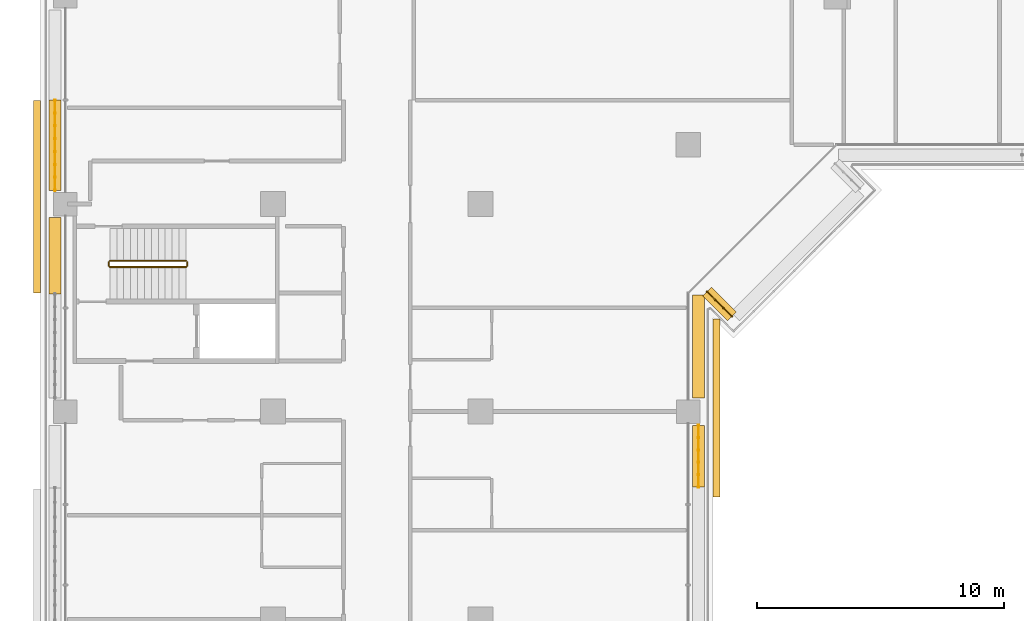
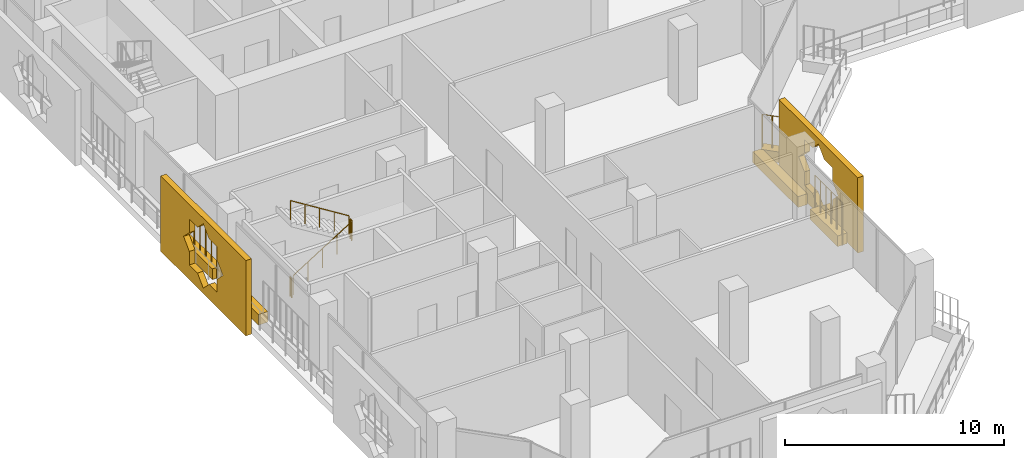
# One storey, part 18 of 24: 7 coverings, 7 railings.
"""IFC4 building model written with IfcOpenShell, lengths in metres."""

from ifc_helpers import new_model, si_unit, direction, frame, origin, origin_2d, place, context, subcontext, project, spatial, polyline, rectangle, circle, outline, extrude, material, material_profile, profile_set, type_object, element, save


model = new_model("IFC4")

# Units and contexts
model_context = context("Model", 3, precision=1e-05, world=origin(), true_north=direction((0.0, 1.0)))
body_context = subcontext(model_context, "Body", "Model", "MODEL_VIEW")
ifc_project = project(units=[si_unit("LENGTHUNIT", "METRE"), si_unit("AREAUNIT", "SQUARE_METRE"), si_unit("VOLUMEUNIT", "CUBIC_METRE"), si_unit("PLANEANGLEUNIT", "RADIAN"), si_unit("MASSUNIT", "GRAM", prefix="KILO")], contexts=[model_context])

# Site, building, storey
site_placement = place(None, origin())
site = spatial("IfcSite", under=ifc_project, at=site_placement, CompositionType="ELEMENT")
building_placement = place(site_placement, origin())
building = spatial("IfcBuilding", under=site, at=building_placement, Name="Kawkab Arch Medical Tower", CompositionType="ELEMENT")
storey_placement = place(building_placement, frame((0.0, 0.0, 162.60009765625)))
storey = spatial("IfcBuildingStorey", under=building, at=storey_placement, Name="L37", CompositionType="ELEMENT", Elevation=162.60009765625)

# Coverings
ifc_material_1 = material(Name="Bronze anodised aluminium mashrabiya panel, eight-point star pattern", Category="aluminium")
ifc_material_profile_1 = material_profile(ifc_material_1, outline(polyline([(-3.60009765625, -2.10009765625), (3.60009765625, -2.10009765625), (3.60009765625, 2.10009765625), (-3.60009765625, 2.10009765625), (-3.60009765625, -2.10009765625)]), holes=[polyline([(1.800048828125, 0.0), (1.272705078125, 0.527099609375), (1.272705078125, 1.272705078125), (0.527099609375, 1.272705078125), (0.0, 1.800048828125), (-0.527099609375, 1.272705078125), (-1.272705078125, 1.272705078125), (-1.272705078125, 0.527099609375), (-1.800048828125, 0.0), (-1.272705078125, -0.527099609375), (-1.272705078125, -1.272705078125), (-0.527099609375, -1.272705078125), (0.0, -1.800048828125), (0.527099609375, -1.272705078125), (1.272705078125, -1.272705078125), (1.272705078125, -0.527099609375), (1.800048828125, 0.0)])]), Name="Mashrabiya panel 7200x4200")
ifc_profile_set_1 = profile_set([ifc_material_profile_1], Name="Bronze anodised aluminium mashrabiya panel, eight-point star pattern")
covering_type_1 = type_object("IfcCoveringType", Name="Mashrabiya panel 7200 x 4200", PredefinedType="USERDEFINED", material=ifc_profile_set_1)
covering_1_placement = place(storey_placement, frame((26.199951171875, -41.857421875, 1.699951171875), z_axis=(1.0, 0.0, 0.0), x_axis=(0.0, 1.0, 0.0)))
element("IfcCovering", 1, at=covering_1_placement, inside=storey, type_object=covering_type_1, Name="Mashrabiya panel L37.LOG-01-02.12", ObjectType="SCREEN", PredefinedType="USERDEFINED", context=body_context, shape_type="SweptSolid", body=[
    extrude(outline(polyline([(-3.60009765625, -2.10009765625), (3.60009765625, -2.10009765625), (3.60009765625, 2.10009765625), (-3.60009765625, 2.10009765625), (-3.60009765625, -2.10009765625)]), holes=[polyline([(1.800048828125, 0.0), (1.272705078125, 0.527099609375), (1.272705078125, 1.272705078125), (0.527099609375, 1.272705078125), (0.0, 1.800048828125), (-0.527099609375, 1.272705078125), (-1.272705078125, 1.272705078125), (-1.272705078125, 0.527099609375), (-1.800048828125, 0.0), (-1.272705078125, -0.527099609375), (-1.272705078125, -1.272705078125), (-0.527099609375, -1.272705078125), (0.0, -1.800048828125), (0.527099609375, -1.272705078125), (1.272705078125, -1.272705078125), (1.272705078125, -0.527099609375), (1.800048828125, 0.0)])]), origin(), (0.0, 0.0, 1.0), 0.300048828125),
])
ifc_material_2 = material(Name="Bronze anodised aluminium mashrabiya panel, eight-point star pattern", Category="aluminium")
ifc_material_profile_2 = material_profile(ifc_material_2, outline(polyline([(-3.89990234375, -2.10009765625), (3.89990234375, -2.10009765625), (3.89990234375, 2.10009765625), (-3.89990234375, 2.10009765625), (-3.89990234375, -2.10009765625)]), holes=[polyline([(1.800048828125, 0.0), (1.272705078125, 0.527099609375), (1.272705078125, 1.272705078125), (0.527099609375, 1.272705078125), (0.0, 1.800048828125), (-0.527099609375, 1.272705078125), (-1.272705078125, 1.272705078125), (-1.272705078125, 0.527099609375), (-1.800048828125, 0.0), (-1.272705078125, -0.527099609375), (-1.272705078125, -1.272705078125), (-0.527099609375, -1.272705078125), (0.0, -1.800048828125), (0.527099609375, -1.272705078125), (1.272705078125, -1.272705078125), (1.272705078125, -0.527099609375), (1.800048828125, 0.0)])]), Name="Mashrabiya panel 7800x4200")
ifc_profile_set_2 = profile_set([ifc_material_profile_2], Name="Bronze anodised aluminium mashrabiya panel, eight-point star pattern")
covering_type_2 = type_object("IfcCoveringType", Name="Mashrabiya panel 7800 x 4200", PredefinedType="USERDEFINED", material=ifc_profile_set_2)
covering_2_placement = place(storey_placement, frame((-1.0, -33.30029296875, 1.699951171875), z_axis=(-1.0, 0.0, 0.0), x_axis=(0.0, -1.0, 0.0)))
element("IfcCovering", 2, at=covering_2_placement, inside=storey, type_object=covering_type_2, Name="Mashrabiya panel L37.LOG-01-02.3", ObjectType="SCREEN", PredefinedType="USERDEFINED", context=body_context, shape_type="SweptSolid", body=[
    extrude(outline(polyline([(-3.89990234375, -2.10009765625), (3.89990234375, -2.10009765625), (3.89990234375, 2.10009765625), (-3.89990234375, 2.10009765625), (-3.89990234375, -2.10009765625)]), holes=[polyline([(1.800048828125, 0.0), (1.272705078125, 0.527099609375), (1.272705078125, 1.272705078125), (0.527099609375, 1.272705078125), (0.0, 1.800048828125), (-0.527099609375, 1.272705078125), (-1.272705078125, 1.272705078125), (-1.272705078125, 0.527099609375), (-1.800048828125, 0.0), (-1.272705078125, -0.527099609375), (-1.272705078125, -1.272705078125), (-0.527099609375, -1.272705078125), (0.0, -1.800048828125), (0.527099609375, -1.272705078125), (1.272705078125, -1.272705078125), (1.272705078125, -0.527099609375), (1.800048828125, 0.0)])]), origin(), (0.0, 0.0, 1.0), 0.300048828125),
])
ifc_material_3 = material(Name="Planting soil in a precast trough", Category="concrete")
ifc_material_profile_3 = material_profile(ifc_material_3, rectangle(XDim=0.5, YDim=0.60009765625, at=origin_2d()), Name="Trough 500x600")
ifc_profile_set_3 = profile_set([ifc_material_profile_3], Name="Planting soil in a precast trough")
covering_type_3 = type_object("IfcCoveringType", Name="Planter trough 500 x 600", PredefinedType="USERDEFINED", material=ifc_profile_set_3)
covering_3_placement = place(storey_placement, frame((-0.419921875, -37.241943359375, 0.2998046875), z_axis=(0.0, 1.0, 0.0), x_axis=(-1.0, 0.0, 0.0)))
element("IfcCovering", 3, at=covering_3_placement, inside=storey, type_object=covering_type_3, Name="Planter L37.LOG-01-02.10", ObjectType="PLANTER", PredefinedType="USERDEFINED", context=body_context, shape_type="SweptSolid", body=[
    extrude(rectangle(XDim=0.5, YDim=0.60009765625, at=origin_2d()), origin(), (0.0, 0.0, 1.0), 3.0869140625),
])
covering_4_placement = place(storey_placement, frame((-0.419921875, -33.044921875, 0.2998046875), z_axis=(0.0, 1.0, 0.0), x_axis=(-1.0, 0.0, 0.0)))
element("IfcCovering", 4, at=covering_4_placement, inside=storey, type_object=covering_type_3, Name="Planter L37.LOG-01-02.11", ObjectType="PLANTER", PredefinedType="USERDEFINED", context=body_context, shape_type="SweptSolid", body=[
    extrude(rectangle(XDim=0.5, YDim=0.60009765625, at=origin_2d()), origin(), (0.0, 0.0, 1.0), 3.64501953125),
])
covering_5_placement = place(storey_placement, frame((26.967041015625, -38.14697265625, 0.2998046875), z_axis=(-0.707192746389, 0.707020805532, 0.0), x_axis=(-0.707020805532, -0.707192746389, 0.0)))
element("IfcCovering", 5, at=covering_5_placement, inside=storey, type_object=covering_type_3, Name="Planter L37.LOG-01-02.41", ObjectType="PLANTER", PredefinedType="USERDEFINED", context=body_context, shape_type="SweptSolid", body=[
    extrude(rectangle(XDim=0.5, YDim=0.60009765625, at=origin_2d()), origin(), (0.0, 0.0, 1.0), 1.419921875),
])
covering_6_placement = place(storey_placement, frame((25.6201171875, -37.284912109375, 0.2998046875), z_axis=(0.0, -1.0, 0.0), x_axis=(1.0, 0.0, 0.0)))
element("IfcCovering", 6, at=covering_6_placement, inside=storey, type_object=covering_type_3, Name="Planter L37.LOG-01-02.42", ObjectType="PLANTER", PredefinedType="USERDEFINED", context=body_context, shape_type="SweptSolid", body=[
    extrude(rectangle(XDim=0.5, YDim=0.60009765625, at=origin_2d()), origin(), (0.0, 0.0, 1.0), 4.16015625),
])
covering_7_placement = place(storey_placement, frame((25.6201171875, -42.554931640625, 0.2998046875), z_axis=(0.0, -1.0, 0.0), x_axis=(1.0, 0.0, 0.0)))
element("IfcCovering", 7, at=covering_7_placement, inside=storey, type_object=covering_type_3, Name="Planter L37.LOG-01-02.43", ObjectType="PLANTER", PredefinedType="USERDEFINED", context=body_context, shape_type="SweptSolid", body=[
    extrude(rectangle(XDim=0.5, YDim=0.60009765625, at=origin_2d()), origin(), (0.0, 0.0, 1.0), 2.5),
])

# Railings
ifc_material_4 = material(Name="Bronze anodised aluminium trellis for climbing plants", Category="aluminium")
railing_type_1 = type_object("IfcRailingType", Name="Planting trellis 2400", PredefinedType="USERDEFINED", material=ifc_material_4)
railing_1_placement = place(storey_placement, frame((-0.419921875, -33.044921875, 0.0)))
element("IfcRailing", 8, at=railing_1_placement, inside=storey, type_object=railing_type_1, Name="Planting trellis L37.LOG-01-02.11", ObjectType="TRELLIS", PredefinedType="USERDEFINED", context=body_context, shape_type="SweptSolid", body=[
    extrude(circle(Radius=0.01513671875, at=origin_2d()), frame((0.0, 0.0, 2.384765625), z_axis=(0.0, 1.0, 0.0), x_axis=(-1.0, 0.0, 0.0)), (0.0, 0.0, 1.0), 3.64501953125),
    extrude(circle(Radius=0.030029296875, at=origin_2d()), origin(), (0.0, 0.0, 1.0), 2.369873046875),
    extrude(circle(Radius=0.030029296875, at=origin_2d()), frame((0.0, 0.520751953125, 0.0)), (0.0, 0.0, 1.0), 2.369873046875),
    extrude(circle(Radius=0.030029296875, at=origin_2d()), frame((0.0, 1.04150390625, 0.0)), (0.0, 0.0, 1.0), 2.369873046875),
    extrude(circle(Radius=0.030029296875, at=origin_2d()), frame((0.0, 1.562255859375, 0.0)), (0.0, 0.0, 1.0), 2.369873046875),
    extrude(circle(Radius=0.030029296875, at=origin_2d()), frame((0.0, 2.082763671875, 0.0)), (0.0, 0.0, 1.0), 2.369873046875),
    extrude(circle(Radius=0.030029296875, at=origin_2d()), frame((0.0, 2.603515625, 0.0)), (0.0, 0.0, 1.0), 2.369873046875),
    extrude(circle(Radius=0.030029296875, at=origin_2d()), frame((0.0, 3.124267578125, 0.0)), (0.0, 0.0, 1.0), 2.369873046875),
    extrude(circle(Radius=0.030029296875, at=origin_2d()), frame((0.0, 3.64501953125, 0.0)), (0.0, 0.0, 1.0), 2.369873046875),
])
railing_2_placement = place(storey_placement, frame((26.967041015625, -38.14697265625, 0.0)))
element("IfcRailing", 9, at=railing_2_placement, inside=storey, type_object=railing_type_1, Name="Planting trellis L37.LOG-01-02.41", ObjectType="TRELLIS", PredefinedType="USERDEFINED", context=body_context, shape_type="SweptSolid", body=[
    extrude(circle(Radius=0.01513671875, at=origin_2d()), frame((0.0, 0.0, 2.384765625), z_axis=(-0.707192746389, 0.707020805532, 0.0), x_axis=(-0.707020805532, -0.707192746389, 0.0)), (0.0, 0.0, 1.0), 1.419921875),
    extrude(circle(Radius=0.030029296875, at=origin_2d()), origin(), (0.0, 0.0, 1.0), 2.369873046875),
    extrude(circle(Radius=0.030029296875, at=origin_2d()), frame((-0.334716796875, 0.334716796875, 0.0)), (0.0, 0.0, 1.0), 2.369873046875),
    extrude(circle(Radius=0.030029296875, at=origin_2d()), frame((-0.66943359375, 0.669189453125, 0.0)), (0.0, 0.0, 1.0), 2.369873046875),
    extrude(circle(Radius=0.030029296875, at=origin_2d()), frame((-1.004150390625, 1.00390625, 0.0)), (0.0, 0.0, 1.0), 2.369873046875),
])
railing_3_placement = place(storey_placement, frame((25.6201171875, -42.554931640625, 0.0)))
element("IfcRailing", 10, at=railing_3_placement, inside=storey, type_object=railing_type_1, Name="Planting trellis L37.LOG-01-02.43", ObjectType="TRELLIS", PredefinedType="USERDEFINED", context=body_context, shape_type="SweptSolid", body=[
    extrude(circle(Radius=0.01513671875, at=origin_2d()), frame((0.0, 0.0, 2.384765625), z_axis=(0.0, -1.0, 0.0), x_axis=(1.0, 0.0, 0.0)), (0.0, 0.0, 1.0), 2.5),
    extrude(circle(Radius=0.030029296875, at=origin_2d()), origin(), (0.0, 0.0, 1.0), 2.369873046875),
    extrude(circle(Radius=0.030029296875, at=origin_2d()), frame((0.0, -0.5, 0.0)), (0.0, 0.0, 1.0), 2.369873046875),
    extrude(circle(Radius=0.030029296875, at=origin_2d()), frame((0.0, -1.0, 0.0)), (0.0, 0.0, 1.0), 2.369873046875),
    extrude(circle(Radius=0.030029296875, at=origin_2d()), frame((0.0, -1.5, 0.0)), (0.0, 0.0, 1.0), 2.369873046875),
    extrude(circle(Radius=0.030029296875, at=origin_2d()), frame((0.0, -2.0, 0.0)), (0.0, 0.0, 1.0), 2.369873046875),
    extrude(circle(Radius=0.030029296875, at=origin_2d()), frame((0.0, -2.5, 0.0)), (0.0, 0.0, 1.0), 2.369873046875),
])
ifc_material_5 = material(Name="Stainless steel", Category="steel")
railing_type_2 = type_object("IfcRailingType", Name="Stair guard 1100", PredefinedType="GUARDRAIL", material=ifc_material_5)
railing_4_placement = place(storey_placement, frame((1.800048828125, -36.14990234375, 0.1748046875)))
element("IfcRailing", 11, at=railing_4_placement, inside=storey, type_object=railing_type_2, Name="L37 ST6 stair guard 1", PredefinedType="GUARDRAIL", context=body_context, shape_type="SweptSolid", body=[
    extrude(circle(Radius=0.02392578125, at=origin_2d()), frame((0.0, 0.0, 1.076171875), z_axis=(0.847979421464, 0.0, 0.530029150871), x_axis=(0.0, 1.0, 0.0)), (0.0, 0.0, 1.0), 3.632080078125),
    extrude(circle(Radius=0.02099609375, at=origin_2d()), origin(), (0.0, 0.0, 1.0), 1.052001953125),
    extrude(circle(Radius=0.02099609375, at=origin_2d()), frame((0.77001953125, 0.0, 0.481201171875)), (0.0, 0.0, 1.0), 1.052001953125),
    extrude(circle(Radius=0.02099609375, at=origin_2d()), frame((1.5400390625, 0.0, 0.96240234375)), (0.0, 0.0, 1.0), 1.052001953125),
    extrude(circle(Radius=0.02099609375, at=origin_2d()), frame((2.309814453125, 0.0, 1.44384765625)), (0.0, 0.0, 1.0), 1.052001953125),
    extrude(circle(Radius=0.02099609375, at=origin_2d()), frame((3.079833984375, 0.0, 1.925048828125)), (0.0, 0.0, 1.0), 1.052001953125),
])
railing_5_placement = place(storey_placement, frame((4.929931640625, -36.10009765625, 2.099853515625)))
element("IfcRailing", 12, at=railing_5_placement, inside=storey, type_object=railing_type_2, Name="L37 ST6 stair guard 2", PredefinedType="GUARDRAIL", context=body_context, shape_type="SweptSolid", body=[
    extrude(circle(Radius=0.02392578125, at=origin_2d()), frame((0.0, 0.0, 1.076171875), z_axis=(0.0, 1.0, 0.0), x_axis=(-1.0, 0.0, 0.0)), (0.0, 0.0, 1.0), 0.150146484375),
    extrude(circle(Radius=0.02099609375, at=origin_2d()), origin(), (0.0, 0.0, 1.0), 1.052001953125),
    extrude(circle(Radius=0.02099609375, at=origin_2d()), frame((0.0, 0.150146484375, 0.0)), (0.0, 0.0, 1.0), 1.052001953125),
])
railing_6_placement = place(storey_placement, frame((4.8798828125, -35.89990234375, 2.27490234375)))
element("IfcRailing", 13, at=railing_6_placement, inside=storey, type_object=railing_type_2, Name="L37 ST6 stair guard 3", PredefinedType="GUARDRAIL", context=body_context, shape_type="SweptSolid", body=[
    extrude(circle(Radius=0.02392578125, at=origin_2d()), frame((0.0, 0.0, 1.076171875), z_axis=(-0.847979421464, 0.0, 0.530029150871), x_axis=(0.0, -1.0, 0.0)), (0.0, 0.0, 1.0), 3.632080078125),
    extrude(circle(Radius=0.02099609375, at=origin_2d()), origin(), (0.0, 0.0, 1.0), 1.052001953125),
    extrude(circle(Radius=0.02099609375, at=origin_2d()), frame((-0.77001953125, 0.0, 0.481201171875)), (0.0, 0.0, 1.0), 1.052001953125),
    extrude(circle(Radius=0.02099609375, at=origin_2d()), frame((-1.5400390625, 0.0, 0.96240234375)), (0.0, 0.0, 1.0), 1.052001953125),
    extrude(circle(Radius=0.02099609375, at=origin_2d()), frame((-2.309814453125, 0.0, 1.44384765625)), (0.0, 0.0, 1.0), 1.052001953125),
    extrude(circle(Radius=0.02099609375, at=origin_2d()), frame((-3.079833984375, 0.0, 1.925048828125)), (0.0, 0.0, 1.0), 1.052001953125),
])
railing_7_placement = place(storey_placement, frame((1.75, -36.10009765625, 0.0)))
element("IfcRailing", 14, at=railing_7_placement, inside=storey, type_object=railing_type_2, Name="L37 ST6 stair guard 4", PredefinedType="GUARDRAIL", context=body_context, shape_type="SweptSolid", body=[
    extrude(circle(Radius=0.02392578125, at=origin_2d()), frame((0.0, 0.0, 1.076171875), z_axis=(0.0, 1.0, 0.0), x_axis=(-1.0, 0.0, 0.0)), (0.0, 0.0, 1.0), 0.150146484375),
    extrude(circle(Radius=0.02099609375, at=origin_2d()), origin(), (0.0, 0.0, 1.0), 1.052001953125),
    extrude(circle(Radius=0.02099609375, at=origin_2d()), frame((0.0, 0.150146484375, 0.0)), (0.0, 0.0, 1.0), 1.052001953125),
])

save(model, "model.ifc")
